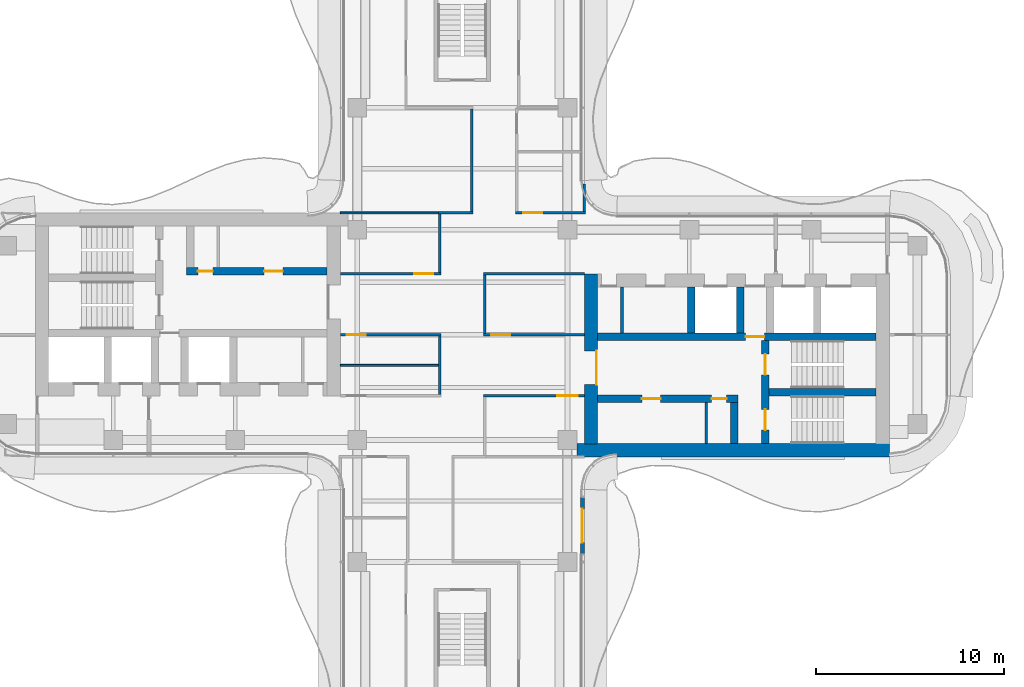
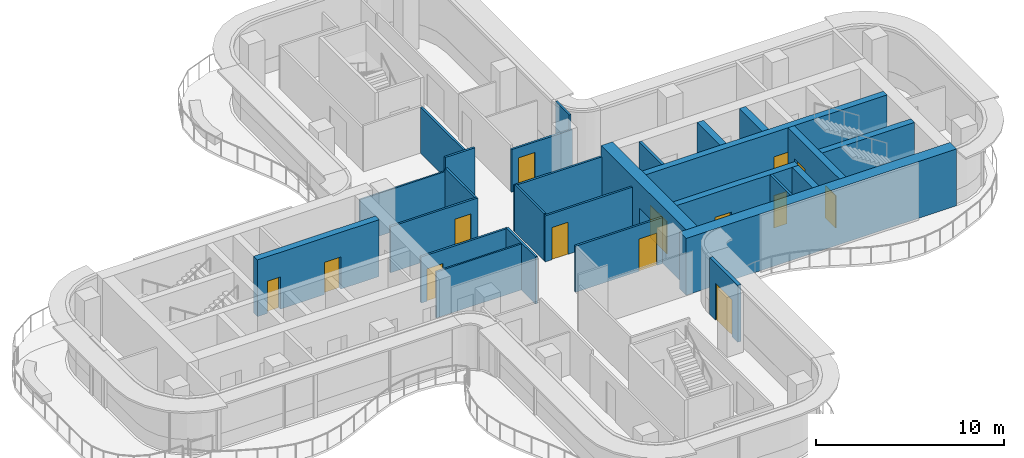
# One storey, part 13 of 17: 27 walls, 14 doors, 14 openings.
"""IFC4 building model written with IfcOpenShell, lengths in metres."""

from ifc_helpers import new_model, si_unit, direction, frame, frame_2d, origin, place, context, subcontext, project, spatial, rectangle, extrude, source, transform, mapped, material, layer, layer_set, type_object, element, fill, save


model = new_model("IFC4")

# Units and contexts
model_context = context("Model", 3, precision=1e-05, world=origin(), true_north=direction((0.0, 1.0)))
body_context = subcontext(model_context, "Body", "Model", "MODEL_VIEW")
ifc_project = project(units=[si_unit("LENGTHUNIT", "METRE"), si_unit("AREAUNIT", "SQUARE_METRE"), si_unit("VOLUMEUNIT", "CUBIC_METRE"), si_unit("PLANEANGLEUNIT", "RADIAN"), si_unit("MASSUNIT", "GRAM", prefix="KILO")], contexts=[model_context])

# Site, building, storey
site_placement = place(None, origin())
site = spatial("IfcSite", under=ifc_project, at=site_placement, CompositionType="ELEMENT")
building_placement = place(site_placement, origin())
building = spatial("IfcBuilding", under=site, at=building_placement, Name="Trellis Farm Tower", CompositionType="ELEMENT")
storey_placement = place(building_placement, frame((0.0, 0.0, 279.39990234375)))
storey = spatial("IfcBuildingStorey", under=building, at=storey_placement, Name="L62", CompositionType="ELEMENT", Elevation=279.39990234375)

# Wall, opening, door
ifc_material_1 = material(Name="Concrete C50/60", Category="concrete")
ifc_layer_1 = layer(ifc_material_1, 0.699951171875)
ifc_layer_set_1 = layer_set([ifc_layer_1], Name="CORE OUTER WALL 700 CONCRETE C50/60")
wall_type_1 = type_object("IfcWallType", Name="CORE OUTER WALL 700 CONCRETE C50/60", PredefinedType="SHEAR", material=ifc_layer_set_1)
shared_shape_1 = source(origin(), body_context, "Body", "SweptSolid", [
    extrude(rectangle(XDim=9.050048828125, YDim=0.699951171875, at=frame_2d((4.52490234375, 0.0))), origin(), (0.0, 0.0, 1.0), 3.7001953125),
])
wall_1_placement = place(storey_placement, frame((6.85009765625, -5.800048828125, 0.0), z_axis=(0.0, 0.0, 1.0), x_axis=(0.0, 1.0, 0.0)))
wall_1 = element("IfcWall", 1, at=wall_1_placement, inside=storey, type_object=wall_type_1, Name="Core wall", PredefinedType="SHEAR", context=body_context, shape_type="MappedRepresentation", body=[
    mapped(shared_shape_1, transform((0.0, 0.0, 0.0))),
])
shared_shape_2 = source(origin(), body_context, "Body", "SweptSolid", [
    extrude(rectangle(XDim=1.800048828125, YDim=2.10009765625, at=frame_2d((0.89990234375, 1.050048828125))), frame((0.0, 0.360107421875, 0.0), z_axis=(0.0, -1.0, 0.0), x_axis=(1.0, 0.0, 0.0)), (0.0, 0.0, 1.0), 0.72021484375),
])
opening_1_placement = place(wall_1_placement, frame((3.14990234375, 0.0, 0.0)))
opening_1 = element("IfcOpeningElement", 2, at=opening_1_placement, cuts=wall_1, Name="Opening DC1", PredefinedType="OPENING", context=body_context, shape_type="MappedRepresentation", body=[
    mapped(shared_shape_2, transform((0.0, 0.0, 0.0))),
])
ifc_material_2 = material(Name="Steel", Category="steel")
door_type_1 = type_object("IfcDoorType", Name="CORE FIRE DOOR DOUBLE 1800 X 2100", OperationType="DOUBLE_DOOR_SINGLE_SWING", PredefinedType="DOOR", material=ifc_material_2)
shared_shape_3 = source(origin(), body_context, "Body", "SweptSolid", [
    extrude(rectangle(XDim=1.800048828125, YDim=2.10009765625, at=frame_2d((0.89990234375, 1.050048828125))), frame((0.0, -0.27490234375, 0.0), z_axis=(0.0, -1.0, 0.0), x_axis=(1.0, 0.0, 0.0)), (0.0, 0.0, 1.0), 0.050048828125),
])
door_1_placement = place(opening_1_placement, origin())
door_1 = element("IfcDoor", 3, at=door_1_placement, inside=storey, type_object=door_type_1, Name="Core door", OperationType="DOUBLE_DOOR_SINGLE_SWING", OverallHeight=2.10009765625, OverallWidth=1.800048828125, PredefinedType="DOOR", context=body_context, shape_type="MappedRepresentation", body=[
    mapped(shared_shape_3, transform((0.0, 0.0, 0.0))),
])
fill(opening_1, door_1)

# Walls
ifc_layer_2 = layer(ifc_material_1, 0.39990234375)
ifc_layer_set_2 = layer_set([ifc_layer_2], Name="CORE INNER WALL 400 CONCRETE C50/60")
wall_type_2 = type_object("IfcWallType", Name="CORE INNER WALL 400 CONCRETE C50/60", PredefinedType="SHEAR", material=ifc_layer_set_2)
shared_shape_4 = source(origin(), body_context, "Body", "SweptSolid", [
    extrude(rectangle(XDim=2.449951171875, YDim=0.39990234375, at=frame_2d((1.22509765625, 0.0))), origin(), (0.0, 0.0, 1.0), 3.7001953125),
])
for number, where, z_axis, x_axis, name in (
    (4, (12.199951171875, 0.10009765625, 0.0), (0.0, 0.0, 1.0), (0.0, 1.0, 0.0), "Core wall"),
    (5, (14.800048828125, 0.10009765625, 0.0), (0.0, 0.0, 1.0), (0.0, 1.0, 0.0), "Core wall"),
):
    element("IfcWall", number, at=place(storey_placement, frame(where, z_axis=z_axis, x_axis=x_axis)), inside=storey, type_object=wall_type_2, Name=name, PredefinedType="SHEAR", context=body_context, shape_type="MappedRepresentation", body=[
        mapped(shared_shape_4, transform((0.0, 0.0, 0.0))),
    ])

# Wall, openings, doors
shared_shape_5 = source(origin(), body_context, "Body", "SweptSolid", [
    extrude(rectangle(XDim=7.5, YDim=0.39990234375, at=frame_2d((3.75, 0.0))), origin(), (0.0, 0.0, 1.0), 3.7001953125),
])
wall_2_placement = place(storey_placement, frame((7.199951171875, -3.39990234375, 0.0), z_axis=(0.0, 0.0, 1.0), x_axis=(1.0, 0.0, 0.0)))
wall_2 = element("IfcWall", 6, at=wall_2_placement, inside=storey, type_object=wall_type_2, Name="Core wall", PredefinedType="SHEAR", context=body_context, shape_type="MappedRepresentation", body=[
    mapped(shared_shape_5, transform((0.0, 0.0, 0.0))),
])
shared_shape_6 = source(origin(), body_context, "Body", "SweptSolid", [
    extrude(rectangle(XDim=1.0, YDim=2.10009765625, at=frame_2d((0.5, 1.050048828125))), frame((0.0, 0.2099609375, 0.0), z_axis=(0.0, -1.0, 0.0), x_axis=(1.0, 0.0, 0.0)), (0.0, 0.0, 1.0), 0.419921875),
])
opening_2_placement = place(wall_2_placement, frame((2.362548828125, 0.0, 0.0)))
opening_2 = element("IfcOpeningElement", 7, at=opening_2_placement, cuts=wall_2, Name="Opening DC55", PredefinedType="OPENING", context=body_context, shape_type="MappedRepresentation", body=[
    mapped(shared_shape_6, transform((0.0, 0.0, 0.0))),
])
shared_shape_7 = source(origin(), body_context, "Body", "SweptSolid", [
    extrude(rectangle(XDim=0.800048828125, YDim=2.10009765625, at=frame_2d((0.39990234375, 1.050048828125))), frame((0.0, 0.2099609375, 0.0), z_axis=(0.0, -1.0, 0.0), x_axis=(1.0, 0.0, 0.0)), (0.0, 0.0, 1.0), 0.419921875),
])
opening_3_placement = place(wall_2_placement, frame((6.08740234375, 0.0, 0.0)))
opening_3 = element("IfcOpeningElement", 8, at=opening_3_placement, cuts=wall_2, Name="Opening DC58", PredefinedType="OPENING", context=body_context, shape_type="MappedRepresentation", body=[
    mapped(shared_shape_7, transform((0.0, 0.0, 0.0))),
])
door_type_2 = type_object("IfcDoorType", Name="CORE FIRE DOOR 1000 X 2100", OperationType="NOTDEFINED", PredefinedType="DOOR", material=ifc_material_2)
shared_shape_8 = source(origin(), body_context, "Body", "SweptSolid", [
    extrude(rectangle(XDim=1.0, YDim=2.10009765625, at=frame_2d((0.5, 1.050048828125))), frame((0.0, 0.02490234375, 0.0), z_axis=(0.0, -1.0, 0.0), x_axis=(1.0, 0.0, 0.0)), (0.0, 0.0, 1.0), 0.050048828125),
])
door_2_placement = place(opening_2_placement, origin())
door_2 = element("IfcDoor", 9, at=door_2_placement, inside=storey, type_object=door_type_2, Name="Core door", OperationType="SINGLE_SWING_LEFT", OverallHeight=2.10009765625, OverallWidth=1.0, PredefinedType="DOOR", context=body_context, shape_type="MappedRepresentation", body=[
    mapped(shared_shape_8, transform((0.0, 0.0, 0.0))),
])
fill(opening_2, door_2)
door_type_3 = type_object("IfcDoorType", Name="CORE FIRE DOOR 800 X 2100", OperationType="NOTDEFINED", PredefinedType="DOOR", material=ifc_material_2)
shared_shape_9 = source(origin(), body_context, "Body", "SweptSolid", [
    extrude(rectangle(XDim=0.800048828125, YDim=2.10009765625, at=frame_2d((0.39990234375, 1.050048828125))), frame((0.0, 0.02490234375, 0.0), z_axis=(0.0, -1.0, 0.0), x_axis=(1.0, 0.0, 0.0)), (0.0, 0.0, 1.0), 0.050048828125),
])
door_3_placement = place(opening_3_placement, origin())
door_3 = element("IfcDoor", 10, at=door_3_placement, inside=storey, type_object=door_type_3, Name="Core door", OperationType="SINGLE_SWING_RIGHT", OverallHeight=2.10009765625, OverallWidth=0.800048828125, PredefinedType="DOOR", context=body_context, shape_type="MappedRepresentation", body=[
    mapped(shared_shape_9, transform((0.0, 0.0, 0.0))),
])
fill(opening_3, door_3)

wall_3_placement = place(storey_placement, frame((-7.199951171875, 3.39990234375, 0.0), z_axis=(0.0, 0.0, 1.0), x_axis=(-1.0, 0.0, 0.0)))
wall_3 = element("IfcWall", 11, at=wall_3_placement, inside=storey, type_object=wall_type_2, Name="Core wall", PredefinedType="SHEAR", context=body_context, shape_type="MappedRepresentation", body=[
    mapped(shared_shape_5, transform((0.0, 0.0, 0.0))),
])
opening_4_placement = place(wall_3_placement, frame((2.362548828125, 0.0, 0.0)))
opening_4 = element("IfcOpeningElement", 12, at=opening_4_placement, cuts=wall_3, Name="Opening DC141", PredefinedType="OPENING", context=body_context, shape_type="MappedRepresentation", body=[
    mapped(shared_shape_6, transform((0.0, 0.0, 0.0))),
])
opening_5_placement = place(wall_3_placement, frame((6.08740234375, 0.0, 0.0)))
opening_5 = element("IfcOpeningElement", 13, at=opening_5_placement, cuts=wall_3, Name="Opening DC144", PredefinedType="OPENING", context=body_context, shape_type="MappedRepresentation", body=[
    mapped(shared_shape_7, transform((0.0, 0.0, 0.0))),
])
door_4_placement = place(opening_4_placement, origin())
door_4 = element("IfcDoor", 14, at=door_4_placement, inside=storey, type_object=door_type_2, Name="Core door", OperationType="SINGLE_SWING_LEFT", OverallHeight=2.10009765625, OverallWidth=1.0, PredefinedType="DOOR", context=body_context, shape_type="MappedRepresentation", body=[
    mapped(shared_shape_8, transform((0.0, 0.0, 0.0))),
])
fill(opening_4, door_4)
door_5_placement = place(opening_5_placement, origin())
door_5 = element("IfcDoor", 15, at=door_5_placement, inside=storey, type_object=door_type_3, Name="Core door", OperationType="SINGLE_SWING_RIGHT", OverallHeight=2.10009765625, OverallWidth=0.800048828125, PredefinedType="DOOR", context=body_context, shape_type="MappedRepresentation", body=[
    mapped(shared_shape_9, transform((0.0, 0.0, 0.0))),
])
fill(opening_5, door_5)

# Wall, opening, door
shared_shape_10 = source(origin(), body_context, "Body", "SweptSolid", [
    extrude(rectangle(XDim=14.85009765625, YDim=0.39990234375, at=frame_2d((7.425048828125, 0.0))), origin(), (0.0, 0.0, 1.0), 3.7001953125),
])
wall_4_placement = place(storey_placement, frame((7.199951171875, -0.10009765625, 0.0), z_axis=(0.0, 0.0, 1.0), x_axis=(1.0, 0.0, 0.0)))
wall_4 = element("IfcWall", 16, at=wall_4_placement, inside=storey, type_object=wall_type_2, Name="Core wall", PredefinedType="SHEAR", context=body_context, shape_type="MappedRepresentation", body=[
    mapped(shared_shape_10, transform((0.0, 0.0, 0.0))),
])
opening_6_placement = place(wall_4_placement, frame((7.89990234375, 0.0, 0.0)))
opening_6 = element("IfcOpeningElement", 17, at=opening_6_placement, cuts=wall_4, Name="Opening DC5", PredefinedType="OPENING", context=body_context, shape_type="MappedRepresentation", body=[
    mapped(shared_shape_6, transform((0.0, 0.0, 0.0))),
])
door_6_placement = place(opening_6_placement, origin())
door_6 = element("IfcDoor", 18, at=door_6_placement, inside=storey, type_object=door_type_2, Name="Core door", OperationType="SINGLE_SWING_RIGHT", OverallHeight=2.10009765625, OverallWidth=1.0, PredefinedType="DOOR", context=body_context, shape_type="MappedRepresentation", body=[
    mapped(shared_shape_8, transform((0.0, 0.0, 0.0))),
])
fill(opening_6, door_6)

# Wall, openings, doors
shared_shape_11 = source(origin(), body_context, "Body", "SweptSolid", [
    extrude(rectangle(XDim=5.5, YDim=0.39990234375, at=frame_2d((2.75, 0.0))), origin(), (0.0, 0.0, 1.0), 3.7001953125),
])
wall_5_placement = place(storey_placement, frame((16.14990234375, -5.800048828125, 0.0), z_axis=(0.0, 0.0, 1.0), x_axis=(0.0, 1.0, 0.0)))
wall_5 = element("IfcWall", 19, at=wall_5_placement, inside=storey, type_object=wall_type_2, Name="Core wall", PredefinedType="SHEAR", context=body_context, shape_type="MappedRepresentation", body=[
    mapped(shared_shape_11, transform((0.0, 0.0, 0.0))),
])
shared_shape_12 = source(origin(), body_context, "Body", "SweptSolid", [
    extrude(rectangle(XDim=1.10009765625, YDim=2.10009765625, at=frame_2d((0.550048828125, 1.050048828125))), frame((0.0, 0.2099609375, 0.0), z_axis=(0.0, -1.0, 0.0), x_axis=(1.0, 0.0, 0.0)), (0.0, 0.0, 1.0), 0.419921875),
])
opening_7_placement = place(wall_5_placement, frame((0.72509765625, 0.0, 0.0)))
opening_7 = element("IfcOpeningElement", 20, at=opening_7_placement, cuts=wall_5, Name="Opening DC2", PredefinedType="OPENING", context=body_context, shape_type="MappedRepresentation", body=[
    mapped(shared_shape_12, transform((0.0, 0.0, 0.0))),
])
opening_8_placement = place(wall_5_placement, frame((3.675048828125, 0.0, 0.0)))
opening_8 = element("IfcOpeningElement", 21, at=opening_8_placement, cuts=wall_5, Name="Opening DC3", PredefinedType="OPENING", context=body_context, shape_type="MappedRepresentation", body=[
    mapped(shared_shape_12, transform((0.0, 0.0, 0.0))),
])
door_type_4 = type_object("IfcDoorType", Name="CORE FIRE DOOR 1100 X 2100", OperationType="NOTDEFINED", PredefinedType="DOOR", material=ifc_material_2)
shared_shape_13 = source(origin(), body_context, "Body", "SweptSolid", [
    extrude(rectangle(XDim=1.10009765625, YDim=2.10009765625, at=frame_2d((0.550048828125, 1.050048828125))), frame((0.0, 0.02490234375, 0.0), z_axis=(0.0, -1.0, 0.0), x_axis=(1.0, 0.0, 0.0)), (0.0, 0.0, 1.0), 0.050048828125),
])
door_7_placement = place(opening_7_placement, origin())
door_7 = element("IfcDoor", 22, at=door_7_placement, inside=storey, type_object=door_type_4, Name="Core door", OperationType="SINGLE_SWING_RIGHT", OverallHeight=2.10009765625, OverallWidth=1.10009765625, PredefinedType="DOOR", context=body_context, shape_type="MappedRepresentation", body=[
    mapped(shared_shape_13, transform((0.0, 0.0, 0.0))),
])
fill(opening_7, door_7)
door_8_placement = place(opening_8_placement, origin())
door_8 = element("IfcDoor", 23, at=door_8_placement, inside=storey, type_object=door_type_4, Name="Core door", OperationType="SINGLE_SWING_LEFT", OverallHeight=2.10009765625, OverallWidth=1.10009765625, PredefinedType="DOOR", context=body_context, shape_type="MappedRepresentation", body=[
    mapped(shared_shape_13, transform((0.0, 0.0, 0.0))),
])
fill(opening_8, door_8)

# Walls
shared_shape_14 = source(origin(), body_context, "Body", "SweptSolid", [
    extrude(rectangle(XDim=5.699951171875, YDim=0.39990234375, at=frame_2d((2.85009765625, 0.0))), origin(), (0.0, 0.0, 1.0), 3.7001953125),
])
wall_6_placement = place(storey_placement, frame((16.35009765625, -3.050048828125, 0.0), z_axis=(0.0, 0.0, 1.0), x_axis=(1.0, 0.0, 0.0)))
element("IfcWall", 24, at=wall_6_placement, inside=storey, type_object=wall_type_2, Name="Core wall", PredefinedType="SHEAR", context=body_context, shape_type="MappedRepresentation", body=[
    mapped(shared_shape_14, transform((0.0, 0.0, 0.0))),
])
shared_shape_15 = source(origin(), body_context, "Body", "SweptSolid", [
    extrude(rectangle(XDim=2.199951171875, YDim=0.39990234375, at=frame_2d((1.10009765625, 0.0))), origin(), (0.0, 0.0, 1.0), 3.7001953125),
])
wall_7_placement = place(storey_placement, frame((14.5, -5.800048828125, 0.0), z_axis=(0.0, 0.0, 1.0), x_axis=(0.0, 1.0, 0.0)))
element("IfcWall", 25, at=wall_7_placement, inside=storey, type_object=wall_type_2, Name="Core wall", PredefinedType="SHEAR", context=body_context, shape_type="MappedRepresentation", body=[
    mapped(shared_shape_15, transform((0.0, 0.0, 0.0))),
])
ifc_material_3 = material(Name="Masonry blockwork", Category="masonry")
ifc_layer_3 = layer(ifc_material_3, 0.14990234375)
ifc_layer_set_3 = layer_set([ifc_layer_3], Name="CORE PARTITION 150 BLOCKWORK")
wall_type_3 = type_object("IfcWallType", Name="CORE PARTITION 150 BLOCKWORK", PredefinedType="PARTITIONING", material=ifc_layer_set_3)
shared_shape_16 = source(origin(), body_context, "Body", "SweptSolid", [
    extrude(rectangle(XDim=2.199951171875, YDim=0.14990234375, at=frame_2d((1.10009765625, 0.0))), origin(), (0.0, 0.0, 1.0), 3.7001953125),
])
wall_8_placement = place(storey_placement, frame((13.0, -5.800048828125, 0.0), z_axis=(0.0, 0.0, 1.0), x_axis=(0.0, 1.0, 0.0)))
element("IfcWall", 26, at=wall_8_placement, inside=storey, type_object=wall_type_3, Name="Core room partition", PredefinedType="PARTITIONING", context=body_context, shape_type="MappedRepresentation", body=[
    mapped(shared_shape_16, transform((0.0, 0.0, 0.0))),
])
shared_shape_17 = source(origin(), body_context, "Body", "SweptSolid", [
    extrude(rectangle(XDim=16.64990234375, YDim=0.699951171875, at=frame_2d((8.324951171875, 0.0))), origin(), (0.0, 0.0, 1.0), 3.7001953125),
])
wall_9_placement = place(storey_placement, frame((6.10009765625, -6.14990234375, 0.0), z_axis=(0.0, 0.0, 1.0), x_axis=(1.0, 0.0, 0.0)))
element("IfcWall", 27, at=wall_9_placement, inside=storey, type_object=wall_type_1, Name="Core wall", PredefinedType="SHEAR", context=body_context, shape_type="MappedRepresentation", body=[
    mapped(shared_shape_17, transform((0.0, 0.0, 0.0))),
])
shared_shape_18 = source(origin(), body_context, "Body", "SweptSolid", [
    extrude(rectangle(XDim=2.449951171875, YDim=0.14990234375, at=frame_2d((1.22509765625, 0.0))), origin(), (0.0, 0.0, 1.0), 3.7001953125),
])
wall_10_placement = place(storey_placement, frame((8.5, 0.10009765625, 0.0), z_axis=(0.0, 0.0, 1.0), x_axis=(0.0, 1.0, 0.0)))
element("IfcWall", 28, at=wall_10_placement, inside=storey, type_object=wall_type_3, Name="Core room partition", PredefinedType="PARTITIONING", context=body_context, shape_type="MappedRepresentation", body=[
    mapped(shared_shape_18, transform((0.0, 0.0, 0.0))),
])

# Wall, opening, door
ifc_material_4 = material(Name="Sandstone faced insulated wall", Category="masonry")
ifc_layer_4 = layer(ifc_material_4, 0.199951171875)
ifc_layer_set_4 = layer_set([ifc_layer_4], Name="EXTERNAL INFILL WALL 200")
wall_type_4 = type_object("IfcWallType", Name="EXTERNAL INFILL WALL 200", PredefinedType="SOLIDWALL", material=ifc_layer_set_4)
shared_shape_19 = source(origin(), body_context, "Body", "SweptSolid", [
    extrude(rectangle(XDim=3.0, YDim=0.199951171875, at=frame_2d((1.5, 0.0))), origin(), (0.0, 0.0, 1.0), 3.7001953125),
])
wall_11_placement = place(storey_placement, frame((6.39990234375, -11.665771484375, 0.0), z_axis=(0.0, 0.0, 1.0), x_axis=(0.0, 1.0, 0.0)))
wall_11 = element("IfcWall", 29, at=wall_11_placement, inside=storey, type_object=wall_type_4, Name="EW1 01", PredefinedType="SOLIDWALL", context=body_context, shape_type="MappedRepresentation", body=[
    mapped(shared_shape_19, transform((0.0, 0.0, 0.0))),
])
shared_shape_20 = source(origin(), body_context, "Body", "SweptSolid", [
    extrude(rectangle(XDim=1.800048828125, YDim=2.39990234375, at=frame_2d((0.89990234375, 1.199951171875))), frame((0.0, 0.110107421875, 0.0), z_axis=(0.0, -1.0, 0.0), x_axis=(1.0, 0.0, 0.0)), (0.0, 0.0, 1.0), 0.22021484375),
])
opening_9_placement = place(wall_11_placement, frame((0.60009765625, 0.0, 0.0)))
opening_9 = element("IfcOpeningElement", 30, at=opening_9_placement, cuts=wall_11, Name="Opening ED1", PredefinedType="OPENING", context=body_context, shape_type="MappedRepresentation", body=[
    mapped(shared_shape_20, transform((0.0, 0.0, 0.0))),
])
ifc_material_5 = material(Name="Aluminium framed glazed door", Category="aluminium")
door_type_5 = type_object("IfcDoorType", Name="BALCONY DOOR 1800x2400", OperationType="DOUBLE_DOOR_SINGLE_SWING", PredefinedType="DOOR", material=ifc_material_5)
shared_shape_21 = source(origin(), body_context, "Body", "SweptSolid", [
    extrude(rectangle(XDim=1.800048828125, YDim=2.39990234375, at=frame_2d((0.89990234375, 1.199951171875))), frame((0.0, 0.02490234375, 0.0), z_axis=(0.0, -1.0, 0.0), x_axis=(1.0, 0.0, 0.0)), (0.0, 0.0, 1.0), 0.050048828125),
])
door_9_placement = place(opening_9_placement, origin())
door_9 = element("IfcDoor", 31, at=door_9_placement, inside=storey, type_object=door_type_5, Name="Balcony door", OperationType="DOUBLE_DOOR_SINGLE_SWING", OverallHeight=2.39990234375, OverallWidth=1.800048828125, PredefinedType="DOOR", context=body_context, shape_type="MappedRepresentation", body=[
    mapped(shared_shape_21, transform((0.0, 0.0, 0.0))),
])
fill(opening_9, door_9)

# Walls
ifc_material_6 = material(Name="Plasterboard on steel studs, mineral wool", Category="steel")
ifc_layer_5 = layer(ifc_material_6, 0.125)
ifc_layer_set_5 = layer_set([ifc_layer_5], Name="PARTITION 125 STUD EI 60")
wall_type_5 = type_object("IfcWallType", Name="PARTITION 125 STUD EI 60", PredefinedType="PARTITIONING", material=ifc_layer_set_5)
shared_shape_22 = source(origin(), body_context, "Body", "SweptSolid", [
    extrude(rectangle(XDim=5.47509765625, YDim=0.125, at=frame_2d((2.737548828125, 0.0))), origin(), (0.0, 0.0, 1.0), 2.99658203125),
])
wall_12_placement = place(storey_placement, frame((0.5, 12.03759765625, 0.0), z_axis=(0.0, 0.0, 1.0), x_axis=(0.0, -1.0, 0.0)))
element("IfcWall", 32, at=wall_12_placement, inside=storey, type_object=wall_type_5, Name="Partition PW1", PredefinedType="PARTITIONING", context=body_context, shape_type="MappedRepresentation", body=[
    mapped(shared_shape_22, transform((0.0, 0.0, 0.0))),
])
shared_shape_23 = source(origin(), body_context, "Body", "SweptSolid", [
    extrude(rectangle(XDim=3.137451171875, YDim=0.125, at=frame_2d((1.56884765625, 0.0))), origin(), (0.0, 0.0, 1.0), 2.99658203125),
])
wall_13_placement = place(storey_placement, frame((-1.199951171875, 6.449951171875, 0.0), z_axis=(0.0, 0.0, 1.0), x_axis=(0.0, -1.0, 0.0)))
element("IfcWall", 33, at=wall_13_placement, inside=storey, type_object=wall_type_5, Name="Partition PW1", PredefinedType="PARTITIONING", context=body_context, shape_type="MappedRepresentation", body=[
    mapped(shared_shape_23, transform((0.0, 0.0, 0.0))),
])
shared_shape_24 = source(origin(), body_context, "Body", "SweptSolid", [
    extrude(rectangle(XDim=3.125, YDim=0.125, at=frame_2d((1.5625, 0.0))), origin(), (0.0, 0.0, 1.0), 3.06787109375),
])
for number, where, z_axis, x_axis, name in (
    (34, (-1.199951171875, -0.0625, 0.0), (0.0, 0.0, 1.0), (0.0, -1.0, 0.0), "Partition PW1"),
    (35, (1.199951171875, 3.1875, 0.0), (0.0, 0.0, 1.0), (0.0, -1.0, 0.0), "Partition PW1"),
):
    element("IfcWall", number, at=place(storey_placement, frame(where, z_axis=z_axis, x_axis=x_axis)), inside=storey, type_object=wall_type_5, Name=name, PredefinedType="PARTITIONING", context=body_context, shape_type="MappedRepresentation", body=[
        mapped(shared_shape_24, transform((0.0, 0.0, 0.0))),
    ])

# Wall, opening, door
shared_shape_25 = source(origin(), body_context, "Body", "SweptSolid", [
    extrude(rectangle(XDim=5.362548828125, YDim=0.125, at=frame_2d((2.68115234375, 0.0))), origin(), (0.0, 0.0, 1.0), 2.99658203125),
])
wall_14_placement = place(storey_placement, frame((6.5, -3.25, 0.0), z_axis=(0.0, 0.0, 1.0), x_axis=(-1.0, 0.0, 0.0)))
wall_14 = element("IfcWall", 36, at=wall_14_placement, inside=storey, type_object=wall_type_5, Name="Partition PW1", PredefinedType="PARTITIONING", context=body_context, shape_type="MappedRepresentation", body=[
    mapped(shared_shape_25, transform((0.0, 0.0, 0.0))),
])
shared_shape_26 = source(origin(), body_context, "Body", "SweptSolid", [
    extrude(rectangle(XDim=1.10009765625, YDim=2.10009765625, at=frame_2d((0.550048828125, 1.050048828125))), frame((0.0, 0.072509765625, 0.0), z_axis=(0.0, -1.0, 0.0), x_axis=(1.0, 0.0, 0.0)), (0.0, 0.0, 1.0), 0.14501953125),
])
opening_10_placement = place(wall_14_placement, frame((0.35009765625, 0.0, 0.0)))
opening_10 = element("IfcOpeningElement", 37, at=opening_10_placement, cuts=wall_14, Name="Opening D501", PredefinedType="OPENING", context=body_context, shape_type="MappedRepresentation", body=[
    mapped(shared_shape_26, transform((0.0, 0.0, 0.0))),
])
ifc_material_7 = material(Name="Fire-rated timber door leaf in a hollow metal frame", Category="wood")
door_type_6 = type_object("IfcDoorType", Name="DOOR 1100x2100 FD30S", OperationType="NOTDEFINED", PredefinedType="DOOR", material=ifc_material_7)
door_10_placement = place(opening_10_placement, origin())
door_10 = element("IfcDoor", 38, at=door_10_placement, inside=storey, type_object=door_type_6, Name="Door D501", OperationType="SINGLE_SWING_LEFT", OverallHeight=2.10009765625, OverallWidth=1.10009765625, PredefinedType="DOOR", context=body_context, shape_type="MappedRepresentation", body=[
    mapped(shared_shape_13, transform((0.0, 0.0, 0.0))),
])
fill(opening_10, door_10)

wall_15_placement = place(storey_placement, frame((-1.137451171875, 0.0, 0.0), z_axis=(0.0, 0.0, 1.0), x_axis=(-1.0, 0.0, 0.0)))
wall_15 = element("IfcWall", 39, at=wall_15_placement, inside=storey, type_object=wall_type_5, Name="Partition PW1", PredefinedType="PARTITIONING", context=body_context, shape_type="MappedRepresentation", body=[
    mapped(shared_shape_25, transform((0.0, 0.0, 0.0))),
])
shared_shape_27 = source(origin(), body_context, "Body", "SweptSolid", [
    extrude(rectangle(XDim=1.0, YDim=2.10009765625, at=frame_2d((0.5, 1.050048828125))), frame((0.0, 0.072509765625, 0.0), z_axis=(0.0, -1.0, 0.0), x_axis=(1.0, 0.0, 0.0)), (0.0, 0.0, 1.0), 0.14501953125),
])
opening_11_placement = place(wall_15_placement, frame((4.012451171875, 0.0, 0.0)))
opening_11 = element("IfcOpeningElement", 40, at=opening_11_placement, cuts=wall_15, Name="Opening D105", PredefinedType="OPENING", context=body_context, shape_type="MappedRepresentation", body=[
    mapped(shared_shape_27, transform((0.0, 0.0, 0.0))),
])
door_type_7 = type_object("IfcDoorType", Name="DOOR 1000x2100 FD30S", OperationType="NOTDEFINED", PredefinedType="DOOR", material=ifc_material_7)
door_11_placement = place(opening_11_placement, origin())
door_11 = element("IfcDoor", 41, at=door_11_placement, inside=storey, type_object=door_type_7, Name="Door D105", OperationType="SINGLE_SWING_RIGHT", OverallHeight=2.10009765625, OverallWidth=1.0, PredefinedType="DOOR", context=body_context, shape_type="MappedRepresentation", body=[
    mapped(shared_shape_8, transform((0.0, 0.0, 0.0))),
])
fill(opening_11, door_11)

wall_16_placement = place(storey_placement, frame((6.5, 0.0, 0.0), z_axis=(0.0, 0.0, 1.0), x_axis=(-1.0, 0.0, 0.0)))
wall_16 = element("IfcWall", 42, at=wall_16_placement, inside=storey, type_object=wall_type_5, Name="Partition PW1", PredefinedType="PARTITIONING", context=body_context, shape_type="MappedRepresentation", body=[
    mapped(shared_shape_25, transform((0.0, 0.0, 0.0))),
])
opening_12_placement = place(wall_16_placement, frame((3.949951171875, 0.0, 0.0)))
opening_12 = element("IfcOpeningElement", 43, at=opening_12_placement, cuts=wall_16, Name="Opening D106", PredefinedType="OPENING", context=body_context, shape_type="MappedRepresentation", body=[
    mapped(shared_shape_27, transform((0.0, 0.0, 0.0))),
])
door_12_placement = place(opening_12_placement, origin())
door_12 = element("IfcDoor", 44, at=door_12_placement, inside=storey, type_object=door_type_7, Name="Door D106", OperationType="SINGLE_SWING_RIGHT", OverallHeight=2.10009765625, OverallWidth=1.0, PredefinedType="DOOR", context=body_context, shape_type="MappedRepresentation", body=[
    mapped(shared_shape_8, transform((0.0, 0.0, 0.0))),
])
fill(opening_12, door_12)

wall_17_placement = place(storey_placement, frame((-6.5, 3.25, 0.0), z_axis=(0.0, 0.0, 1.0), x_axis=(1.0, 0.0, 0.0)))
wall_17 = element("IfcWall", 45, at=wall_17_placement, inside=storey, type_object=wall_type_5, Name="Partition PW1", PredefinedType="PARTITIONING", context=body_context, shape_type="MappedRepresentation", body=[
    mapped(shared_shape_25, transform((0.0, 0.0, 0.0))),
])
opening_13_placement = place(wall_17_placement, frame((3.949951171875, 0.0, 0.0)))
opening_13 = element("IfcOpeningElement", 46, at=opening_13_placement, cuts=wall_17, Name="Opening D108", PredefinedType="OPENING", context=body_context, shape_type="MappedRepresentation", body=[
    mapped(shared_shape_27, transform((0.0, 0.0, 0.0))),
])
door_13_placement = place(opening_13_placement, origin())
door_13 = element("IfcDoor", 47, at=door_13_placement, inside=storey, type_object=door_type_7, Name="Door D108", OperationType="SINGLE_SWING_RIGHT", OverallHeight=2.10009765625, OverallWidth=1.0, PredefinedType="DOOR", context=body_context, shape_type="MappedRepresentation", body=[
    mapped(shared_shape_8, transform((0.0, 0.0, 0.0))),
])
fill(opening_13, door_13)

# Walls
wall_18_placement = place(storey_placement, frame((1.137451171875, 3.25, 0.0), z_axis=(0.0, 0.0, 1.0), x_axis=(1.0, 0.0, 0.0)))
element("IfcWall", 48, at=wall_18_placement, inside=storey, type_object=wall_type_5, Name="Partition PW1", PredefinedType="PARTITIONING", context=body_context, shape_type="MappedRepresentation", body=[
    mapped(shared_shape_25, transform((0.0, 0.0, 0.0))),
])
ifc_material_8 = material(Name="Plasterboard on steel studs", Category="steel")
ifc_layer_6 = layer(ifc_material_8, 0.10009765625)
ifc_layer_set_6 = layer_set([ifc_layer_6], Name="PARTITION 100 STUD EI 30")
wall_type_6 = type_object("IfcWallType", Name="PARTITION 100 STUD EI 30", PredefinedType="PARTITIONING", material=ifc_layer_set_6)
shared_shape_28 = source(origin(), body_context, "Body", "SweptSolid", [
    extrude(rectangle(XDim=5.362548828125, YDim=0.10009765625, at=frame_2d((2.68115234375, 0.0))), origin(), (0.0, 0.0, 1.0), 2.780029296875),
])
wall_19_placement = place(storey_placement, frame((-6.5, 6.5, 0.0), z_axis=(0.0, 0.0, 1.0), x_axis=(1.0, 0.0, 0.0)))
element("IfcWall", 49, at=wall_19_placement, inside=storey, type_object=wall_type_6, Name="Partition PW2", PredefinedType="PARTITIONING", context=body_context, shape_type="MappedRepresentation", body=[
    mapped(shared_shape_28, transform((0.0, 0.0, 0.0))),
])

# Wall, opening, door
shared_shape_29 = source(origin(), body_context, "Body", "SweptSolid", [
    extrude(rectangle(XDim=3.72509765625, YDim=0.125, at=frame_2d((1.862548828125, 0.0))), origin(), (0.0, 0.0, 1.0), 2.780029296875),
])
wall_20_placement = place(storey_placement, frame((2.83740234375, 6.5, 0.0), z_axis=(0.0, 0.0, 1.0), x_axis=(1.0, 0.0, 0.0)))
wall_20 = element("IfcWall", 50, at=wall_20_placement, inside=storey, type_object=wall_type_5, Name="Partition PW1", PredefinedType="PARTITIONING", context=body_context, shape_type="MappedRepresentation", body=[
    mapped(shared_shape_29, transform((0.0, 0.0, 0.0))),
])
opening_14_placement = place(wall_20_placement, frame((0.41259765625, 0.0, 0.0)))
opening_14 = element("IfcOpeningElement", 51, at=opening_14_placement, cuts=wall_20, Name="Opening D109", PredefinedType="OPENING", context=body_context, shape_type="MappedRepresentation", body=[
    mapped(shared_shape_27, transform((0.0, 0.0, 0.0))),
])
door_14_placement = place(opening_14_placement, origin())
door_14 = element("IfcDoor", 52, at=door_14_placement, inside=storey, type_object=door_type_7, Name="Door D109", OperationType="SINGLE_SWING_LEFT", OverallHeight=2.10009765625, OverallWidth=1.0, PredefinedType="DOOR", context=body_context, shape_type="MappedRepresentation", body=[
    mapped(shared_shape_8, transform((0.0, 0.0, 0.0))),
])
fill(opening_14, door_14)

# Walls
shared_shape_30 = source(origin(), body_context, "Body", "SweptSolid", [
    extrude(rectangle(XDim=1.468994140625, YDim=0.125, at=frame_2d((0.734375, 0.0))), origin(), (0.0, 0.0, 1.0), 3.7001953125),
])
wall_21_placement = place(storey_placement, frame((6.5, 6.5625, 0.0), z_axis=(0.0, 0.0, 1.0), x_axis=(0.0, 1.0, 0.0)))
element("IfcWall", 53, at=wall_21_placement, inside=storey, type_object=wall_type_5, Name="Partition PW1", PredefinedType="PARTITIONING", context=body_context, shape_type="MappedRepresentation", body=[
    mapped(shared_shape_30, transform((0.0, 0.0, 0.0))),
])
shared_shape_31 = source(origin(), body_context, "Body", "SweptSolid", [
    extrude(rectangle(XDim=5.237548828125, YDim=0.10009765625, at=frame_2d((2.61865234375, 0.0))), origin(), (0.0, 0.0, 1.0), 2.99658203125),
])
wall_22_placement = place(storey_placement, frame((-6.5, -1.625, 0.0), z_axis=(0.0, 0.0, 1.0), x_axis=(1.0, 0.0, 0.0)))
element("IfcWall", 54, at=wall_22_placement, inside=storey, type_object=wall_type_6, Name="Partition PW2", PredefinedType="PARTITIONING", context=body_context, shape_type="MappedRepresentation", body=[
    mapped(shared_shape_31, transform((0.0, 0.0, 0.0))),
])
shared_shape_32 = source(origin(), body_context, "Body", "SweptSolid", [
    extrude(rectangle(XDim=1.824951171875, YDim=0.125, at=frame_2d((0.91259765625, 0.0))), origin(), (0.0, 0.0, 1.0), 3.7001953125),
])
wall_23_placement = place(storey_placement, frame((-1.262451171875, 6.5, 0.0), z_axis=(0.0, 0.0, 1.0), x_axis=(1.0, 0.0, 0.0)))
element("IfcWall", 55, at=wall_23_placement, inside=storey, type_object=wall_type_5, Name="Partition PW1", PredefinedType="PARTITIONING", context=body_context, shape_type="MappedRepresentation", body=[
    mapped(shared_shape_32, transform((0.0, 0.0, 0.0))),
])

save(model, "model.ifc")
